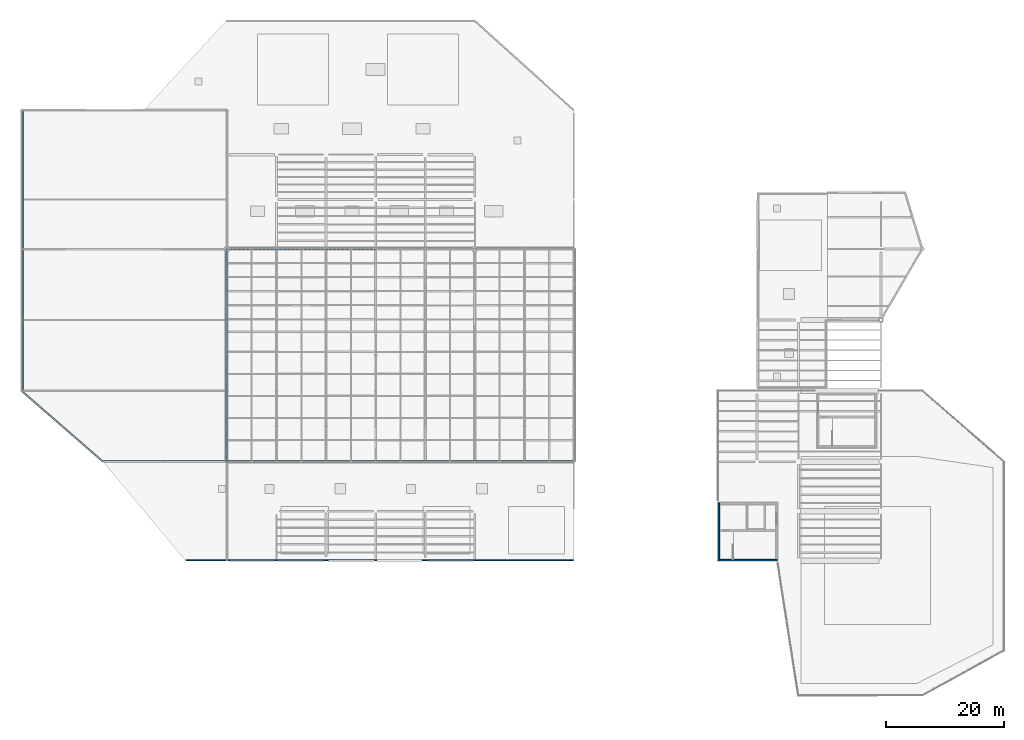
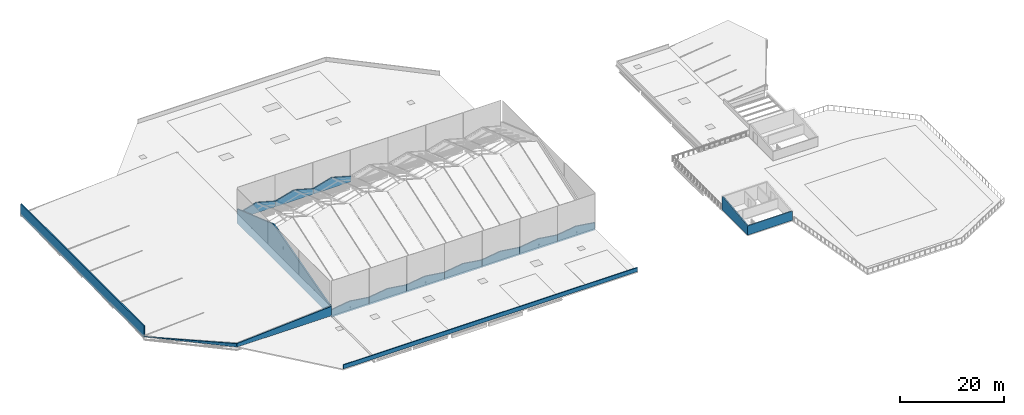
# One storey, part 71 of 77: 17 walls.
"""IFC4 building model written with IfcOpenShell, lengths in metres."""

from ifc_helpers import new_model, si_unit, direction, frame, frame_2d, origin, place, context, subcontext, project, spatial, polyline, rectangle, outline, extrude, material, layer, layer_set, type_object, element, save


model = new_model("IFC4")

# Units and contexts
model_context = context("Model", 3, precision=1e-05, world=origin(), true_north=direction((0.0, 1.0)))
body_context = subcontext(model_context, "Body", "Model", "MODEL_VIEW")
ifc_project = project(units=[si_unit("LENGTHUNIT", "METRE"), si_unit("AREAUNIT", "SQUARE_METRE"), si_unit("VOLUMEUNIT", "CUBIC_METRE"), si_unit("PLANEANGLEUNIT", "RADIAN"), si_unit("MASSUNIT", "GRAM", prefix="KILO")], contexts=[model_context])

# Site, building, storey
site_placement = place(None, origin())
site = spatial("IfcSite", under=ifc_project, at=site_placement, CompositionType="ELEMENT")
building_placement = place(site_placement, origin())
building = spatial("IfcBuilding", under=site, at=building_placement, Name="Larkvane Passage Sports Hall", CompositionType="ELEMENT")
storey_placement = place(building_placement, frame((0.0, 0.0, 22.199951171875)))
storey = spatial("IfcBuildingStorey", under=building, at=storey_placement, Name="RF", CompositionType="ELEMENT", Elevation=22.199951171875)

# Walls
ifc_material_1 = material(Name="Precast concrete C45/55", Category="concrete")
ifc_layer_1 = layer(ifc_material_1, 0.260009765625)
ifc_layer_set_1 = layer_set([ifc_layer_1], Name="Precast concrete C45/55")
wall_type_1 = type_object("IfcWallType", Name="WL-GABLE-260", PredefinedType="SOLIDWALL", material=ifc_layer_set_1)
wall_1_placement = place(storey_placement, frame((43.199951171875, 75.60009765625, 0.9599609375), z_axis=(0.0, 0.0, 1.0), x_axis=(-1.0, 0.0, 0.0)))
element("IfcWall", 1, at=wall_1_placement, inside=storey, type_object=wall_type_1, Name="North folded-plate clerestory pleat 1", PredefinedType="SOLIDWALL", context=body_context, shape_type="SweptSolid", body=[
    extrude(outline(polyline([(0.0, 0.0), (8.39990234375, 0.0), (8.39990234375, 1.280029296875), (4.199951171875, 2.460205078125), (0.0, 1.280029296875), (0.0, 0.0)])), frame((0.0, 0.1298828125, 0.0), z_axis=(0.0, -1.0, 0.0), x_axis=(1.0, 0.0, 0.0)), (0.0, 0.0, 1.0), 0.260009765625),
])
wall_2_placement = place(storey_placement, frame((34.800048828125, 39.60009765625, -0.3798828125), z_axis=(0.0, 0.0, 1.0), x_axis=(1.0, 0.0, 0.0)))
element("IfcWall", 2, at=wall_2_placement, inside=storey, type_object=wall_type_1, Name="South folded-plate valley eave fascia 1", PredefinedType="SOLIDWALL", context=body_context, shape_type="SweptSolid", body=[
    extrude(outline(polyline([(0.0, 0.0), (8.39990234375, 0.0), (8.39990234375, 1.780029296875), (4.199951171875, 2.3798828125), (0.0, 1.780029296875), (0.0, 0.0)])), frame((0.0, 0.1298828125, 0.0), z_axis=(0.0, -1.0, 0.0), x_axis=(1.0, 0.0, 0.0)), (0.0, 0.0, 1.0), 0.260009765625),
])
wall_3_placement = place(storey_placement, frame((51.60009765625, 75.60009765625, 0.9599609375), z_axis=(0.0, 0.0, 1.0), x_axis=(-1.0, 0.0, 0.0)))
element("IfcWall", 3, at=wall_3_placement, inside=storey, type_object=wall_type_1, Name="North folded-plate clerestory pleat 2", PredefinedType="SOLIDWALL", context=body_context, shape_type="SweptSolid", body=[
    extrude(outline(polyline([(0.0, 0.0), (8.400146484375, 0.0), (8.39990234375, 1.280029296875), (4.199951171875, 2.460205078125), (0.0, 1.280029296875), (0.0, 0.0)])), frame((0.0, 0.1298828125, 0.0), z_axis=(0.0, -1.0, 0.0), x_axis=(1.0, 0.0, 0.0)), (0.0, 0.0, 1.0), 0.260009765625),
])
wall_4_placement = place(storey_placement, frame((43.199951171875, 39.60009765625, -0.3798828125), z_axis=(0.0, 0.0, 1.0), x_axis=(1.0, 0.0, 0.0)))
element("IfcWall", 4, at=wall_4_placement, inside=storey, type_object=wall_type_1, Name="South folded-plate valley eave fascia 2", PredefinedType="SOLIDWALL", context=body_context, shape_type="SweptSolid", body=[
    extrude(outline(polyline([(0.0, 0.0), (8.400146484375, 0.0), (8.39990234375, 1.780029296875), (4.199951171875, 2.3798828125), (0.0, 1.780029296875), (0.0, 0.0)])), frame((0.0, 0.1298828125, 0.0), z_axis=(0.0, -1.0, 0.0), x_axis=(1.0, 0.0, 0.0)), (0.0, 0.0, 1.0), 0.260009765625),
])
wall_5_placement = place(storey_placement, frame((60.0, 75.60009765625, 0.9599609375), z_axis=(0.0, 0.0, 1.0), x_axis=(-1.0, 0.0, 0.0)))
element("IfcWall", 5, at=wall_5_placement, inside=storey, type_object=wall_type_1, Name="North folded-plate clerestory pleat 3", PredefinedType="SOLIDWALL", context=body_context, shape_type="SweptSolid", body=[
    extrude(outline(polyline([(0.0, 0.0), (8.39990234375, 0.0), (8.39990234375, 1.280029296875), (4.199951171875, 2.460205078125), (0.0, 1.280029296875), (0.0, 0.0)])), frame((0.0, 0.1298828125, 0.0), z_axis=(0.0, -1.0, 0.0), x_axis=(1.0, 0.0, 0.0)), (0.0, 0.0, 1.0), 0.260009765625),
])
for number, where, z_axis, x_axis, name in (
    (6, (51.60009765625, 39.60009765625, -0.3798828125), (0.0, 0.0, 1.0), (1.0, 0.0, 0.0), "South folded-plate valley eave fascia 3"),
    (7, (60.0, 39.60009765625, -0.3798828125), (0.0, 0.0, 1.0), (1.0, 0.0, 0.0), "South folded-plate valley eave fascia 4"),
):
    element("IfcWall", number, at=place(storey_placement, frame(where, z_axis=z_axis, x_axis=x_axis)), inside=storey, type_object=wall_type_1, Name=name, PredefinedType="SOLIDWALL", context=body_context, shape_type="SweptSolid", body=[
        extrude(outline(polyline([(0.0, 0.0), (8.39990234375, 0.0), (8.39990234375, 1.780029296875), (4.199951171875, 2.3798828125), (0.0, 1.780029296875), (0.0, 0.0)])), frame((0.0, 0.1298828125, 0.0), z_axis=(0.0, -1.0, 0.0), x_axis=(1.0, 0.0, 0.0)), (0.0, 0.0, 1.0), 0.260009765625),
    ])
wall_6_placement = place(storey_placement, frame((68.39990234375, 39.60009765625, -0.3798828125), z_axis=(0.0, 0.0, 1.0), x_axis=(1.0, 0.0, 0.0)))
element("IfcWall", 8, at=wall_6_placement, inside=storey, type_object=wall_type_1, Name="South folded-plate valley eave fascia 5", PredefinedType="SOLIDWALL", context=body_context, shape_type="SweptSolid", body=[
    extrude(outline(polyline([(0.0, 0.0), (8.400146484375, 0.0), (8.39990234375, 1.780029296875), (4.199951171875, 2.3798828125), (0.0, 1.780029296875), (0.0, 0.0)])), frame((0.0, 0.1298828125, 0.0), z_axis=(0.0, -1.0, 0.0), x_axis=(1.0, 0.0, 0.0)), (0.0, 0.0, 1.0), 0.260009765625),
])
wall_7_placement = place(storey_placement, frame((76.800048828125, 39.60009765625, -0.3798828125), z_axis=(0.0, 0.0, 1.0), x_axis=(1.0, 0.0, 0.0)))
element("IfcWall", 9, at=wall_7_placement, inside=storey, type_object=wall_type_1, Name="South folded-plate valley eave fascia 6", PredefinedType="SOLIDWALL", context=body_context, shape_type="SweptSolid", body=[
    extrude(outline(polyline([(0.0, 0.0), (8.39990234375, 0.0), (8.39990234375, 1.780029296875), (4.199951171875, 2.3798828125), (0.0, 1.780029296875), (0.0, 0.0)])), frame((0.0, 0.1298828125, 0.0), z_axis=(0.0, -1.0, 0.0), x_axis=(1.0, 0.0, 0.0)), (0.0, 0.0, 1.0), 0.260009765625),
])
wall_8_placement = place(storey_placement, frame((85.199951171875, 39.60009765625, -0.3798828125), z_axis=(0.0, 0.0, 1.0), x_axis=(1.0, 0.0, 0.0)))
element("IfcWall", 10, at=wall_8_placement, inside=storey, type_object=wall_type_1, Name="South folded-plate valley eave fascia 7", PredefinedType="SOLIDWALL", context=body_context, shape_type="SweptSolid", body=[
    extrude(outline(polyline([(0.0, 0.0), (8.400146484375, 0.0), (8.39990234375, 1.780029296875), (4.199951171875, 2.3798828125), (0.0, 1.780029296875), (0.0, 0.0)])), frame((0.0, 0.1298828125, 0.0), z_axis=(0.0, -1.0, 0.0), x_axis=(1.0, 0.0, 0.0)), (0.0, 0.0, 1.0), 0.260009765625),
])
wall_9_placement = place(storey_placement, frame((0.139892578125, 99.199951171875, -0.320068359375), z_axis=(0.0, 0.0, 1.0), x_axis=(0.0, -1.0, 0.0)))
element("IfcWall", 11, at=wall_9_placement, inside=storey, type_object=wall_type_1, Name="Northwest court sloped roof gable WAL-GABLE-V1W-W", PredefinedType="SOLIDWALL", context=body_context, shape_type="SweptSolid", body=[
    extrude(rectangle(XDim=47.599853515625, YDim=0.260009765625, at=frame_2d((23.7998046875, 0.0))), origin(), (0.0, 0.0, 1.0), 2.7001953125),
])
wall_10_placement = place(storey_placement, frame((0.0, 51.60009765625, 0.0), z_axis=(0.0, 0.0, 1.0), x_axis=(0.754606671782, -0.656177392861, 0.0)))
element("IfcWall", 12, at=wall_10_placement, inside=storey, type_object=wall_type_1, Name="Northwest court sloped roof gable WAL-GABLE-V1W-SW", PredefinedType="SOLIDWALL", context=body_context, shape_type="SweptSolid", body=[
    extrude(outline(polyline([(0.0, 0.0), (18.287841796875, 0.0), (18.25, 0.820068359375), (0.0, 0.02001953125), (0.0, 0.0)])), frame((0.0, 0.1298828125, 0.0), z_axis=(0.0, -1.0, 0.0), x_axis=(1.0, 0.0, 0.0)), (0.0, 0.0, 1.0), 0.260009765625),
])
wall_11_placement = place(storey_placement, frame((13.800048828125, 39.60009765625, 0.0), z_axis=(0.0, 0.0, 1.0), x_axis=(1.0, 0.0, 0.0)))
element("IfcWall", 13, at=wall_11_placement, inside=storey, type_object=wall_type_1, Name="Northwest court sloped roof gable WAL-GABLE-V1W-SE", PredefinedType="SOLIDWALL", context=body_context, shape_type="SweptSolid", body=[
    extrude(outline(polyline([(0.0, 0.0), (21.0, 0.0), (21.0, 2.219970703125), (0.0, 0.820068359375), (0.0, 0.0)])), frame((0.0, 0.1298828125, 0.0), z_axis=(0.0, -1.0, 0.0), x_axis=(1.0, 0.0, 0.0)), (0.0, 0.0, 1.0), 0.260009765625),
])
ifc_layer_2 = layer(ifc_material_1, 0.300048828125)
ifc_layer_set_2 = layer_set([ifc_layer_2], Name="Precast concrete C45/55")
wall_type_2 = type_object("IfcWallType", Name="WL-GABLE-300", PredefinedType="SOLIDWALL", material=ifc_layer_set_2)
wall_12_placement = place(storey_placement, frame((34.800048828125, 75.60009765625, 0.010009765625), z_axis=(0.0, 0.0, 1.0), x_axis=(0.0, -1.0, 0.0)))
element("IfcWall", 14, at=wall_12_placement, inside=storey, type_object=wall_type_2, Name="Arena west folded-plate gable closure wall", PredefinedType="SOLIDWALL", context=body_context, shape_type="SweptSolid", body=[
    extrude(outline(polyline([(0.0, 0.0), (36.0, 0.0), (36.0, 2.2099609375), (14.0, 8.239990234375), (0.0, 3.340087890625), (0.0, 0.0)])), frame((0.0, 0.14990234375, 0.0), z_axis=(0.0, -1.0, 0.0), x_axis=(1.0, 0.0, 0.0)), (0.0, 0.0, 1.0), 0.300048828125),
])
ifc_layer_3 = layer(ifc_material_1, 0.260009765625)
ifc_layer_set_3 = layer_set([ifc_layer_3], Name="Precast concrete C45/55")
wall_type_3 = type_object("IfcWallType", Name="WL-HH-260", PredefinedType="SOLIDWALL", material=ifc_layer_set_3)
wall_13_placement = place(storey_placement, frame((118.0, 22.929931640625, 0.0), z_axis=(0.0, 0.0, 1.0), x_axis=(1.0, 0.0, 0.0)))
element("IfcWall", 15, at=wall_13_placement, inside=storey, type_object=wall_type_3, Name="Roof stair head-house wall WAL-HH-C5-S", PredefinedType="SOLIDWALL", context=body_context, shape_type="SweptSolid", body=[
    extrude(rectangle(XDim=10.0, YDim=0.260009765625, at=frame_2d((5.0, 0.0))), origin(), (0.0, 0.0, 1.0), 2.16015625),
])
wall_14_placement = place(storey_placement, frame((118.1298828125, 32.60009765625, 0.0), z_axis=(0.0, 0.0, 1.0), x_axis=(0.0, -1.0, 0.0)))
element("IfcWall", 16, at=wall_14_placement, inside=storey, type_object=wall_type_3, Name="Roof stair head-house wall WAL-HH-C5-W", PredefinedType="SOLIDWALL", context=body_context, shape_type="SweptSolid", body=[
    extrude(outline(polyline([(0.0, 0.0), (9.800048828125, 0.0), (9.800048828125, 2.16015625), (0.0, 3.260009765625), (0.0, 0.0)])), frame((0.0, 0.1298828125, 0.0), z_axis=(0.0, -1.0, 0.0), x_axis=(1.0, 0.0, 0.0)), (0.0, 0.0, 1.0), 0.260009765625),
])
ifc_material_2 = material(Name="Concrete C40/50", Category="concrete")
ifc_layer_4 = layer(ifc_material_2, 0.18505859375)
ifc_layer_set_4 = layer_set([ifc_layer_4], Name="Concrete C40/50")
wall_type_4 = type_object("IfcWallType", Name="WL-PAR-185", PredefinedType="PARAPET", material=ifc_layer_set_4)
wall_15_placement = place(storey_placement, frame((27.89990234375, 22.89990234375, 0.0), z_axis=(0.0, 0.0, 1.0), x_axis=(1.0, 0.0, 0.0)))
element("IfcWall", 17, at=wall_15_placement, inside=storey, type_object=wall_type_4, Name="Roof parapet PAR-RF-V1-S", PredefinedType="PARAPET", context=body_context, shape_type="SweptSolid", body=[
    extrude(rectangle(XDim=65.60009765625, YDim=0.18505859375, at=frame_2d((32.800048828125, 0.0))), origin(), (0.0, 0.0, 1.0), 0.949951171875),
])

save(model, "model.ifc")
